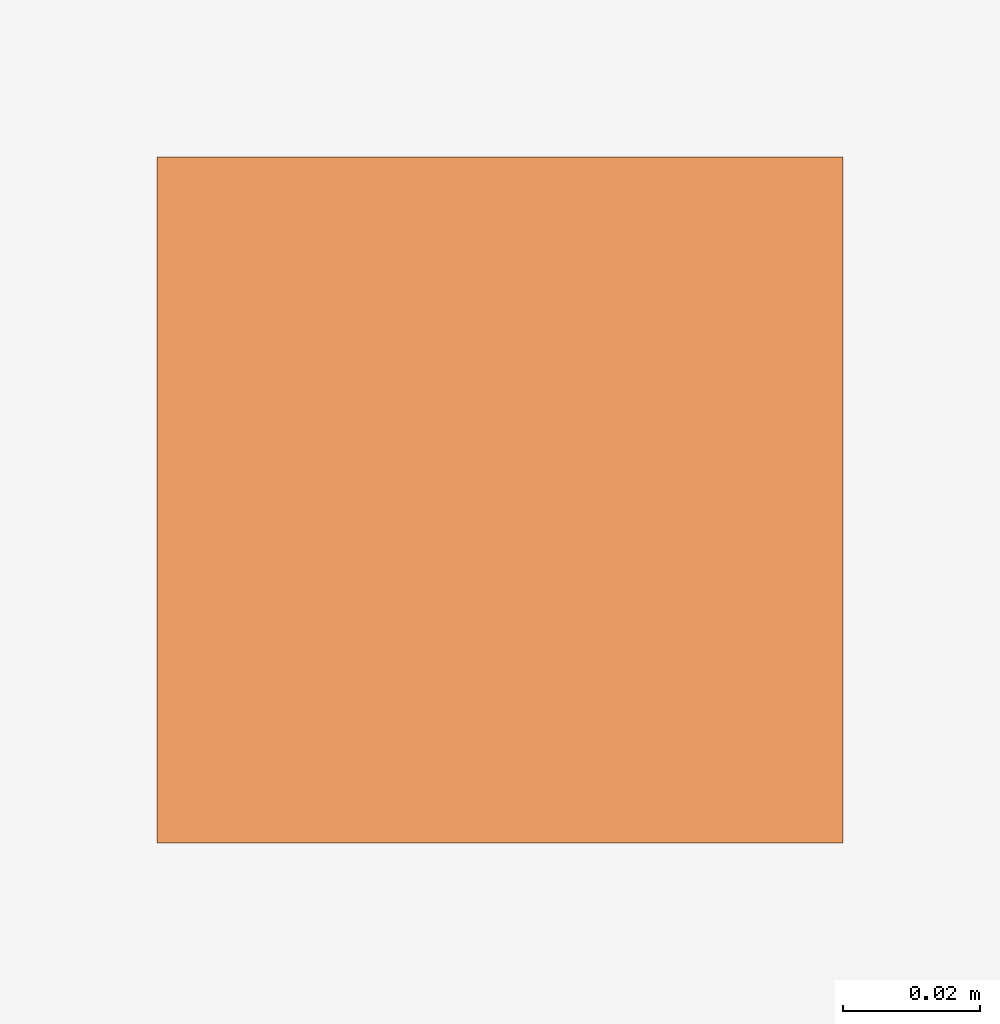
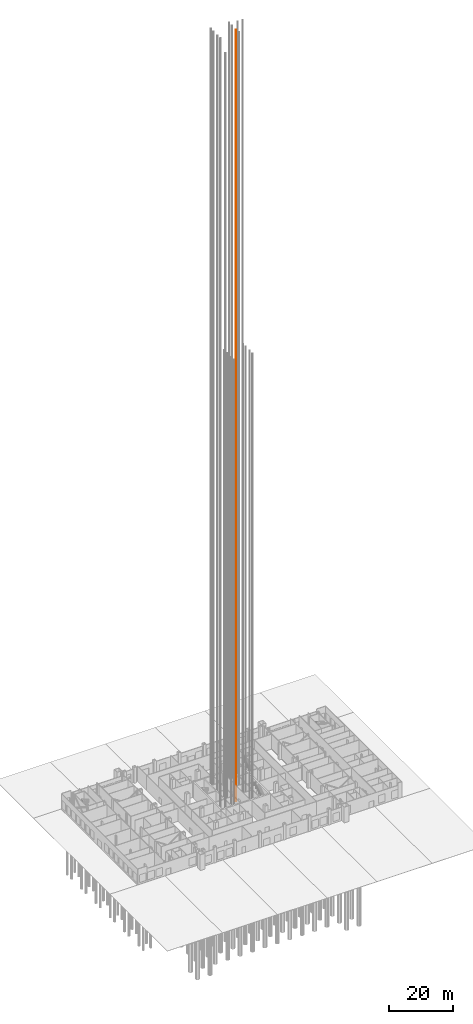
# One storey, part 30 of 36: 1 proxy.
"""IFC4 building model written with IfcOpenShell, lengths in metres."""

from ifc_helpers import new_model, si_unit, direction, frame, origin, origin_2d, place, context, subcontext, project, spatial, rectangle, extrude, material, type_object, element, save


model = new_model("IFC4")

# Units and contexts
model_context = context("Model", 3, precision=1e-05, world=origin(), true_north=direction((0.0, 1.0)))
body_context = subcontext(model_context, "Body", "Model", "MODEL_VIEW")
ifc_project = project(units=[si_unit("LENGTHUNIT", "METRE"), si_unit("AREAUNIT", "SQUARE_METRE"), si_unit("VOLUMEUNIT", "CUBIC_METRE"), si_unit("PLANEANGLEUNIT", "RADIAN"), si_unit("MASSUNIT", "GRAM", prefix="KILO")], contexts=[model_context])

# Site, building, storey
site_placement = place(None, origin())
site = spatial("IfcSite", under=ifc_project, at=site_placement, CompositionType="ELEMENT")
building_placement = place(site_placement, origin())
building = spatial("IfcBuilding", under=site, at=building_placement, Name="Malebo Sky Hospital", CompositionType="ELEMENT")
storey_placement = place(building_placement, origin())
storey = spatial("IfcBuildingStorey", under=building, at=storey_placement, Name="L00", CompositionType="ELEMENT", Elevation=0.0)

# Proxy
ifc_material = material(Name="Steel S355", Category="steel")
building_element_proxy_type = type_object("IfcBuildingElementProxyType", Name="LIFT GUIDE RAIL 100", PredefinedType="USERDEFINED", material=ifc_material)
proxy_placement = place(storey_placement, frame((63.35009765625, 65.02490234375, 0.0)))
element("IfcBuildingElementProxy", 1, at=proxy_placement, inside=storey, type_object=building_element_proxy_type, Name="Lift E3 guide rail 2", ObjectType="LIFT GUIDE RAIL", PredefinedType="USERDEFINED", context=body_context, shape_type="SweptSolid", body=[
    extrude(rectangle(XDim=0.10009765625, YDim=0.10009765625, at=origin_2d()), frame((0.0, 0.0, -2.25)), (0.0, 0.0, 1.0), 295.75),
])

save(model, "model.ifc")
